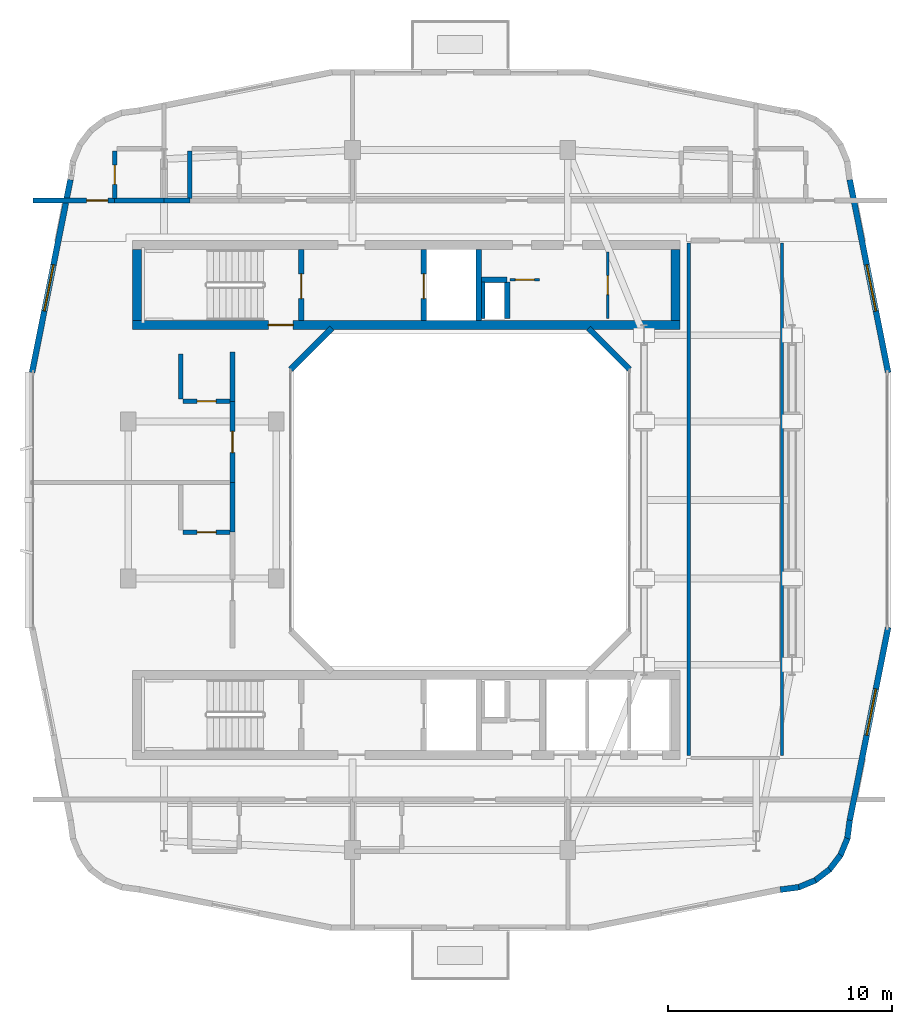
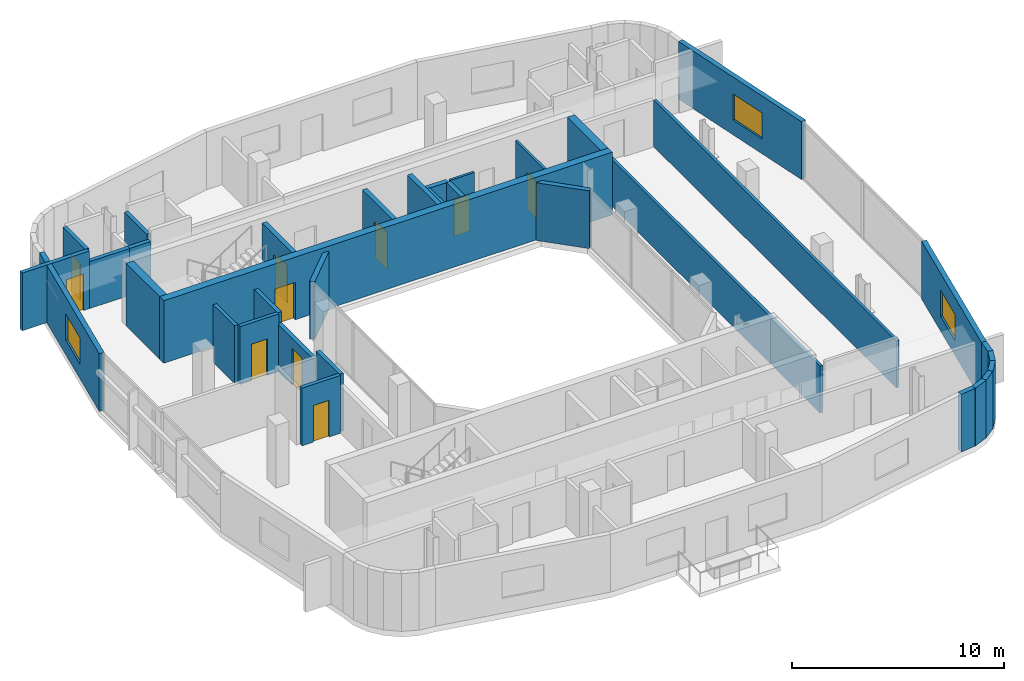
# One storey, part 7 of 13: 35 walls, 10 doors, 3 windows, 13 openings.
"""IFC4 building model written with IfcOpenShell, lengths in metres."""

from ifc_helpers import new_model, si_unit, derived_unit, direction, frame, frame_2d, origin, place, context, subcontext, project, spatial, rectangle, extrude, material, layer, layer_set, type_object, element, fill, save


model = new_model("IFC4")

# Units and contexts
model_context = context("Model", 3, precision=1e-05, world=origin(), true_north=direction((0.0, 1.0)))
body_context = subcontext(model_context, "Body", "Model", "MODEL_VIEW")
ifc_project = project(units=[si_unit("LENGTHUNIT", "METRE"), si_unit("AREAUNIT", "SQUARE_METRE"), si_unit("VOLUMEUNIT", "CUBIC_METRE"), si_unit("PLANEANGLEUNIT", "RADIAN"), si_unit("MASSUNIT", "GRAM", prefix="KILO"), derived_unit("THERMALTRANSMITTANCEUNIT", [(si_unit("POWERUNIT", "WATT"), 1), (si_unit("LENGTHUNIT", "METRE"), -2), (si_unit("THERMODYNAMICTEMPERATUREUNIT", "KELVIN"), -1)])], contexts=[model_context])

# Site, building, storey
site_placement = place(None, origin())
site = spatial("IfcSite", under=ifc_project, at=site_placement, CompositionType="ELEMENT")
building_placement = place(site_placement, origin())
building = spatial("IfcBuilding", under=site, at=building_placement, Name="Kivonza Crest Hotel", CompositionType="ELEMENT")
storey_placement = place(building_placement, frame((0.0, 0.0, 199.10009765625)))
storey = spatial("IfcBuildingStorey", under=building, at=storey_placement, Name="L54", CompositionType="ELEMENT", Elevation=199.10009765625)

# Wall
ifc_material_1 = material(Name="Autoclaved aerated concrete blockwork", Category="masonry")
ifc_layer_1 = layer(ifc_material_1, 0.219970703125)
ifc_layer_set_1 = layer_set([ifc_layer_1], Name="Autoclaved aerated concrete blockwork")
wall_type_1 = type_object("IfcWallType", Name="WL-ACOU-220", PredefinedType="SOLIDWALL", material=ifc_layer_set_1)
wall_1_placement = place(storey_placement, frame((5.60009765625, 38.35009765625, 0.0), z_axis=(0.0, 0.0, 1.0), x_axis=(1.0, 0.0, 0.0)))
element("IfcWall", 1, at=wall_1_placement, inside=storey, type_object=wall_type_1, Name="L54 interior partition WA-L54-N01-BCORR", PredefinedType="SOLIDWALL", context=body_context, shape_type="SweptSolid", body=[
    extrude(rectangle(XDim=2.199951171875, YDim=0.219970703125, at=frame_2d((1.10009765625, 0.0))), origin(), (0.0, 0.0, 1.0), 2.69482421875),
])

# Wall, opening, door
wall_2_placement = place(storey_placement, frame((1.9599609375, 38.35009765625, 0.0), z_axis=(0.0, 0.0, 1.0), x_axis=(1.0, 0.0, 0.0)))
wall_2 = element("IfcWall", 2, at=wall_2_placement, inside=storey, type_object=wall_type_1, Name="L54 interior partition WA-L54-N01-MCORR", PredefinedType="SOLIDWALL", context=body_context, shape_type="SweptSolid", body=[
    extrude(rectangle(XDim=3.64013671875, YDim=0.219970703125, at=frame_2d((1.820068359375, 0.0))), origin(), (0.0, 0.0, 1.0), 3.31982421875),
])
opening_1_placement = place(wall_2_placement, frame((2.389892578125, 0.0, 0.0)))
opening_1 = element("IfcOpeningElement", 3, at=opening_1_placement, cuts=wall_2, Name="Opening DU-60", PredefinedType="OPENING", context=body_context, shape_type="SweptSolid", body=[
    extrude(rectangle(XDim=0.949951171875, YDim=2.10009765625, at=frame_2d((0.47509765625, 1.050048828125))), frame((0.0, 0.1201171875, 0.0), z_axis=(0.0, -1.0, 0.0), x_axis=(1.0, 0.0, 0.0)), (0.0, 0.0, 1.0), 0.239990234375),
])
ifc_material_2 = material(Name="Hardwood timber oak", Category="wood")
door_type_1 = type_object("IfcDoorType", Name="DR-UNIT-950", OperationType="NOTDEFINED", PredefinedType="DOOR", material=ifc_material_2)
door_1_placement = place(opening_1_placement, origin())
door_1 = element("IfcDoor", 4, at=door_1_placement, inside=storey, type_object=door_type_1, Name="L54 N01 guest unit entrance fire door", OperationType="SINGLE_SWING_LEFT", OverallHeight=2.10009765625, OverallWidth=0.949951171875, PredefinedType="DOOR", context=body_context, shape_type="SweptSolid", body=[
    extrude(rectangle(XDim=0.949951171875, YDim=2.10009765625, at=frame_2d((0.47509765625, 1.050048828125))), frame((0.0, 0.02490234375, 0.0), z_axis=(0.0, -1.0, 0.0), x_axis=(1.0, 0.0, 0.0)), (0.0, 0.0, 1.0), 0.050048828125),
])
fill(opening_1, door_1)

# Walls
wall_3_placement = place(storey_placement, frame((7.800048828125, 38.35009765625, 0.0), z_axis=(0.0, 0.0, 1.0), x_axis=(1.0, 0.0, 0.0)))
element("IfcWall", 5, at=wall_3_placement, inside=storey, type_object=wall_type_1, Name="L54 interior partition WA-L54-N02-XCORR", PredefinedType="SOLIDWALL", context=body_context, shape_type="SweptSolid", body=[
    extrude(rectangle(XDim=1.14990234375, YDim=0.219970703125, at=frame_2d((0.574951171875, 0.0))), origin(), (0.0, 0.0, 1.0), 2.69482421875),
])
wall_4_placement = place(storey_placement, frame((10.85009765625, 23.570068359375, 0.0), z_axis=(0.0, 0.0, 1.0), x_axis=(0.0, 1.0, 0.0)))
element("IfcWall", 6, at=wall_4_placement, inside=storey, type_object=wall_type_1, Name="L54 interior partition WA-L54-W07-BCORR", PredefinedType="SOLIDWALL", context=body_context, shape_type="SweptSolid", body=[
    extrude(rectangle(XDim=2.199951171875, YDim=0.219970703125, at=frame_2d((1.10009765625, 0.0))), origin(), (0.0, 0.0, 1.0), 3.31982421875),
])
wall_5_placement = place(storey_placement, frame((10.85009765625, 29.39990234375, 0.0), z_axis=(0.0, 0.0, 1.0), x_axis=(0.0, 1.0, 0.0)))
element("IfcWall", 7, at=wall_5_placement, inside=storey, type_object=wall_type_1, Name="L54 interior partition WA-L54-W08-BCORR", PredefinedType="SOLIDWALL", context=body_context, shape_type="SweptSolid", body=[
    extrude(rectangle(XDim=2.2001953125, YDim=0.219970703125, at=frame_2d((1.10009765625, 0.0))), origin(), (0.0, 0.0, 1.0), 3.31982421875),
])

# Wall, opening, door
wall_6_placement = place(storey_placement, frame((10.85009765625, 25.77001953125, 0.0), z_axis=(0.0, 0.0, 1.0), x_axis=(0.0, 1.0, 0.0)))
wall_6 = element("IfcWall", 8, at=wall_6_placement, inside=storey, type_object=wall_type_1, Name="L54 interior partition WA-L54-W08-MCORR", PredefinedType="SOLIDWALL", context=body_context, shape_type="SweptSolid", body=[
    extrude(rectangle(XDim=3.6298828125, YDim=0.219970703125, at=frame_2d((1.81494140625, 0.0))), origin(), (0.0, 0.0, 1.0), 2.69482421875),
])
opening_2_placement = place(wall_6_placement, frame((1.340087890625, 0.0, 0.0)))
opening_2 = element("IfcOpeningElement", 9, at=opening_2_placement, cuts=wall_6, Name="Opening DU-60", PredefinedType="OPENING", context=body_context, shape_type="SweptSolid", body=[
    extrude(rectangle(XDim=0.949951171875, YDim=2.10009765625, at=frame_2d((0.47509765625, 1.050048828125))), frame((0.0, 0.1201171875, 0.0), z_axis=(0.0, -1.0, 0.0), x_axis=(1.0, 0.0, 0.0)), (0.0, 0.0, 1.0), 0.239990234375),
])
door_2_placement = place(opening_2_placement, origin())
door_2 = element("IfcDoor", 10, at=door_2_placement, inside=storey, type_object=door_type_1, Name="L54 W08 guest unit entrance fire door", OperationType="SINGLE_SWING_RIGHT", OverallHeight=2.10009765625, OverallWidth=0.949951171875, PredefinedType="DOOR", context=body_context, shape_type="SweptSolid", body=[
    extrude(rectangle(XDim=0.949951171875, YDim=2.10009765625, at=frame_2d((0.47509765625, 1.050048828125))), frame((0.0, 0.02490234375, 0.0), z_axis=(0.0, -1.0, 0.0), x_axis=(1.0, 0.0, 0.0)), (0.0, 0.0, 1.0), 0.050048828125),
])
fill(opening_2, door_2)

ifc_material_3 = material(Name="Concrete C50/60", Category="concrete")
ifc_layer_2 = layer(ifc_material_3, 0.39990234375)
ifc_layer_set_2 = layer_set([ifc_layer_2], Name="Concrete C50/60")
wall_type_2 = type_object("IfcWallType", Name="WL-CORE-400", PredefinedType="SHEAR", material=ifc_layer_set_2)
wall_7_placement = place(storey_placement, frame((6.39990234375, 32.800048828125, 0.0), z_axis=(0.0, 0.0, 1.0), x_axis=(1.0, 0.0, 0.0)))
wall_7 = element("IfcWall", 11, at=wall_7_placement, inside=storey, type_object=wall_type_2, Name="Core wall T1-N South L54", PredefinedType="SHEAR", context=body_context, shape_type="SweptSolid", body=[
    extrude(rectangle(XDim=24.400146484375, YDim=0.39990234375, at=frame_2d((12.2001953125, 0.0))), origin(), (0.0, 0.0, 1.0), 3.599853515625),
])
opening_3_placement = place(wall_7_placement, frame((6.050048828125, 0.0, 0.0)))
opening_3 = element("IfcOpeningElement", 12, at=opening_3_placement, cuts=wall_7, Name="Opening DF-120", PredefinedType="OPENING", context=body_context, shape_type="SweptSolid", body=[
    extrude(rectangle(XDim=1.10009765625, YDim=2.14990234375, at=frame_2d((0.550048828125, 1.074951171875))), frame((0.0, 0.2099609375, 0.0), z_axis=(0.0, -1.0, 0.0), x_axis=(1.0, 0.0, 0.0)), (0.0, 0.0, 1.0), 0.419921875),
])
ifc_material_4 = material(Name="Galvanised steel", Category="steel")
door_type_2 = type_object("IfcDoorType", Name="DR-FD120-1100", OperationType="NOTDEFINED", PredefinedType="DOOR", material=ifc_material_4)
door_3_placement = place(opening_3_placement, origin())
door_3 = element("IfcDoor", 13, at=door_3_placement, inside=storey, type_object=door_type_2, Name="L54 West corridor stair access fire door", OperationType="SINGLE_SWING_LEFT", OverallHeight=2.14990234375, OverallWidth=1.10009765625, PredefinedType="DOOR", context=body_context, shape_type="SweptSolid", body=[
    extrude(rectangle(XDim=1.10009765625, YDim=2.14990234375, at=frame_2d((0.550048828125, 1.074951171875))), frame((0.0, 0.02490234375, 0.0), z_axis=(0.0, -1.0, 0.0), x_axis=(1.0, 0.0, 0.0)), (0.0, 0.0, 1.0), 0.050048828125),
])
fill(opening_3, door_3)

# Walls
for number, where, z_axis, x_axis, name in (
    (14, (6.60009765625, 33.0, 0.0), (0.0, 0.0, 1.0), (0.0, 1.0, 0.0), "Core wall T1-N West L54"),
    (15, (30.60009765625, 33.0, 0.0), (0.0, 0.0, 1.0), (0.0, 1.0, 0.0), "Core wall T1-N East L54"),
):
    element("IfcWall", number, at=place(storey_placement, frame(where, z_axis=z_axis, x_axis=x_axis)), inside=storey, type_object=wall_type_2, Name=name, PredefinedType="SHEAR", context=body_context, shape_type="SweptSolid", body=[
        extrude(rectangle(XDim=3.159912109375, YDim=0.39990234375, at=frame_2d((1.580078125, 0.0))), origin(), (0.0, 0.0, 1.0), 3.599853515625),
    ])
ifc_material_5 = material(Name="Precast concrete C40/50", Category="concrete")
ifc_layer_3 = layer(ifc_material_5, 0.260009765625)
ifc_layer_set_3 = layer_set([ifc_layer_3], Name="Precast concrete C40/50")
wall_type_3 = type_object("IfcWallType", Name="WL-EXT-260", PredefinedType="STANDARD", material=ifc_layer_set_3)
wall_8_placement = place(storey_placement, frame((35.27490234375, 7.6279296875, 0.0), z_axis=(0.0, 0.0, 1.0), x_axis=(0.9913883573, 0.130954667764, 0.0)))
element("IfcWall", 16, at=wall_8_placement, inside=storey, type_object=wall_type_3, Name="L54 T1 exterior insulated wall 10", PredefinedType="STANDARD", context=body_context, shape_type="SweptSolid", body=[
    extrude(rectangle(XDim=0.833251953125, YDim=0.260009765625, at=frame_2d((0.41650390625, 0.0))), origin(), (0.0, 0.0, 1.0), 3.31982421875),
])
wall_9_placement = place(storey_placement, frame((36.054931640625, 7.718994140625, 0.0), z_axis=(0.0, 0.0, 1.0), x_axis=(0.923754491172, 0.382985169477, 0.0)))
element("IfcWall", 17, at=wall_9_placement, inside=storey, type_object=wall_type_3, Name="L54 T1 exterior insulated wall 11", PredefinedType="STANDARD", context=body_context, shape_type="SweptSolid", body=[
    extrude(rectangle(XDim=0.85107421875, YDim=0.260009765625, at=frame_2d((0.425537109375, 0.0))), origin(), (0.0, 0.0, 1.0), 3.31982421875),
])
for number, where, z_axis, x_axis, name in (
    (18, (36.801025390625, 8.01708984375, 0.0), (0.0, 0.0, 1.0), (0.793999057278, 0.607918988881, 0.0), "L54 T1 exterior insulated wall 12"),
    (19, (37.445068359375, 8.49609375, 0.0), (0.0, 0.0, 1.0), (0.608057619941, 0.793892896323, 0.0), "L54 T1 exterior insulated wall 13"),
):
    element("IfcWall", number, at=place(storey_placement, frame(where, z_axis=z_axis, x_axis=x_axis)), inside=storey, type_object=wall_type_3, Name=name, PredefinedType="STANDARD", context=body_context, shape_type="SweptSolid", body=[
        extrude(rectangle(XDim=0.85009765625, YDim=0.260009765625, at=frame_2d((0.425048828125, 0.0))), origin(), (0.0, 0.0, 1.0), 3.31982421875),
    ])
wall_10_placement = place(storey_placement, frame((37.94091796875, 9.126953125, 0.0), z_axis=(0.0, 0.0, 1.0), x_axis=(0.383229930484, 0.923652976167, 0.0)))
element("IfcWall", 20, at=wall_10_placement, inside=storey, type_object=wall_type_3, Name="L54 T1 exterior insulated wall 14", PredefinedType="STANDARD", context=body_context, shape_type="SweptSolid", body=[
    extrude(rectangle(XDim=0.85107421875, YDim=0.260009765625, at=frame_2d((0.425537109375, 0.0))), origin(), (0.0, 0.0, 1.0), 3.31982421875),
])
wall_11_placement = place(storey_placement, frame((38.259033203125, 9.864013671875, 0.0), z_axis=(0.0, 0.0, 1.0), x_axis=(0.130156359936, 0.991493480548, 0.0)))
element("IfcWall", 21, at=wall_11_placement, inside=storey, type_object=wall_type_3, Name="L54 T1 exterior insulated wall 15", PredefinedType="STANDARD", context=body_context, shape_type="SweptSolid", body=[
    extrude(rectangle(XDim=0.868408203125, YDim=0.260009765625, at=frame_2d((0.43408203125, 0.0))), origin(), (0.0, 0.0, 1.0), 3.31982421875),
])

# Wall, opening, window
wall_12_placement = place(storey_placement, frame((38.37109375, 10.717041015625, 0.0), z_axis=(0.0, 0.0, 1.0), x_axis=(0.195291715883, 0.980745199176, 0.0)))
wall_12 = element("IfcWall", 22, at=wall_12_placement, inside=storey, type_object=wall_type_3, Name="L54 T1 exterior insulated wall 16", PredefinedType="STANDARD", context=body_context, shape_type="SweptSolid", body=[
    extrude(rectangle(XDim=8.77099609375, YDim=0.260009765625, at=frame_2d((4.385498046875, 0.0))), origin(), (0.0, 0.0, 1.0), 3.31982421875),
])
opening_4_placement = place(wall_12_placement, frame((3.873046875, 0.0, 0.85009765625)))
opening_4 = element("IfcOpeningElement", 23, at=opening_4_placement, cuts=wall_12, Name="Opening WN-04", PredefinedType="OPENING", context=body_context, shape_type="SweptSolid", body=[
    extrude(rectangle(XDim=2.10009765625, YDim=1.5, at=frame_2d((1.050048828125, 0.75))), frame((0.0, 0.14013671875, 0.0), z_axis=(0.0, -1.0, 0.0), x_axis=(1.0, 0.0, 0.0)), (0.0, 0.0, 1.0), 0.280029296875),
])
ifc_material_6 = material(Name="Thermally broken bronze aluminium and low-E double glazing", Category="aluminium")
window_type = type_object("IfcWindowType", Name="WN-210x150", PartitioningType="DOUBLE_PANEL_VERTICAL", PredefinedType="WINDOW", material=ifc_material_6)
window_1_placement = place(opening_4_placement, origin())
window_1 = element("IfcWindow", 24, at=window_1_placement, inside=storey, type_object=window_type, Name="L54 T1 facade window 16", OverallHeight=1.5, OverallWidth=2.10009765625, PartitioningType="SINGLE_PANEL", PredefinedType="WINDOW", context=body_context, shape_type="SweptSolid", body=[
    extrude(rectangle(XDim=2.10009765625, YDim=1.5, at=frame_2d((1.050048828125, 0.75))), frame((0.0, 0.030029296875, 0.0), z_axis=(0.0, -1.0, 0.0), x_axis=(1.0, 0.0, 0.0)), (0.0, 0.0, 1.0), 0.06005859375),
])
fill(opening_4, window_1)

wall_13_placement = place(storey_placement, frame((40.083984375, 30.680908203125, 0.0), z_axis=(0.0, 0.0, 1.0), x_axis=(-0.195291715883, 0.980745199176, 0.0)))
wall_13 = element("IfcWall", 25, at=wall_13_placement, inside=storey, type_object=wall_type_3, Name="L54 T1 exterior insulated wall 18", PredefinedType="STANDARD", context=body_context, shape_type="SweptSolid", body=[
    extrude(rectangle(XDim=8.77099609375, YDim=0.260009765625, at=frame_2d((4.385498046875, 0.0))), origin(), (0.0, 0.0, 1.0), 3.31982421875),
])
opening_5_placement = place(wall_13_placement, frame((2.798095703125, 0.0, 0.85009765625)))
opening_5 = element("IfcOpeningElement", 26, at=opening_5_placement, cuts=wall_13, Name="Opening WN-04", PredefinedType="OPENING", context=body_context, shape_type="SweptSolid", body=[
    extrude(rectangle(XDim=2.10009765625, YDim=1.5, at=frame_2d((1.050048828125, 0.75))), frame((0.0, 0.14013671875, 0.0), z_axis=(0.0, -1.0, 0.0), x_axis=(1.0, 0.0, 0.0)), (0.0, 0.0, 1.0), 0.280029296875),
])
window_2_placement = place(opening_5_placement, origin())
window_2 = element("IfcWindow", 27, at=window_2_placement, inside=storey, type_object=window_type, Name="L54 T1 facade window 18", OverallHeight=1.5, OverallWidth=2.10009765625, PartitioningType="SINGLE_PANEL", PredefinedType="WINDOW", context=body_context, shape_type="SweptSolid", body=[
    extrude(rectangle(XDim=2.10009765625, YDim=1.5, at=frame_2d((1.050048828125, 0.75))), frame((0.0, 0.030029296875, 0.0), z_axis=(0.0, -1.0, 0.0), x_axis=(1.0, 0.0, 0.0)), (0.0, 0.0, 1.0), 0.06005859375),
])
fill(opening_5, window_2)

wall_14_placement = place(storey_placement, frame((3.62890625, 39.282958984375, 0.0), z_axis=(0.0, 0.0, 1.0), x_axis=(-0.195291715883, -0.980745199176, 0.0)))
wall_14 = element("IfcWall", 28, at=wall_14_placement, inside=storey, type_object=wall_type_3, Name="L54 T1 exterior insulated wall 34", PredefinedType="STANDARD", context=body_context, shape_type="SweptSolid", body=[
    extrude(rectangle(XDim=8.77099609375, YDim=0.260009765625, at=frame_2d((4.385498046875, 0.0))), origin(), (0.0, 0.0, 1.0), 3.31982421875),
])
opening_6_placement = place(wall_14_placement, frame((3.873046875, 0.0, 0.85009765625)))
opening_6 = element("IfcOpeningElement", 29, at=opening_6_placement, cuts=wall_14, Name="Opening WN-04", PredefinedType="OPENING", context=body_context, shape_type="SweptSolid", body=[
    extrude(rectangle(XDim=2.10009765625, YDim=1.5, at=frame_2d((1.050048828125, 0.75))), frame((0.0, 0.14013671875, 0.0), z_axis=(0.0, -1.0, 0.0), x_axis=(1.0, 0.0, 0.0)), (0.0, 0.0, 1.0), 0.280029296875),
])
window_3_placement = place(opening_6_placement, origin())
window_3 = element("IfcWindow", 30, at=window_3_placement, inside=storey, type_object=window_type, Name="L54 T1 facade window 34", OverallHeight=1.5, OverallWidth=2.10009765625, PartitioningType="SINGLE_PANEL", PredefinedType="WINDOW", context=body_context, shape_type="SweptSolid", body=[
    extrude(rectangle(XDim=2.10009765625, YDim=1.5, at=frame_2d((1.050048828125, 0.75))), frame((0.0, 0.030029296875, 0.0), z_axis=(0.0, -1.0, 0.0), x_axis=(1.0, 0.0, 0.0)), (0.0, 0.0, 1.0), 0.06005859375),
])
fill(opening_6, window_3)

# Walls
for number, where, z_axis, x_axis, name in (
    (31, (28.555908203125, 30.827880859375, 0.0), (0.0, 0.0, 1.0), (-0.707059717605, 0.707153841636, 0.0), "L54 T1 light-well exterior wall 4"),
    (32, (15.278076171875, 32.662109375, 0.0), (0.0, 0.0, 1.0), (-0.707059717605, -0.707153841636, 0.0), "L54 T1 light-well exterior wall 6"),
):
    element("IfcWall", number, at=place(storey_placement, frame(where, z_axis=z_axis, x_axis=x_axis)), inside=storey, type_object=wall_type_3, Name=name, PredefinedType="STANDARD", context=body_context, shape_type="SweptSolid", body=[
        extrude(rectangle(XDim=2.59375, YDim=0.260009765625, at=frame_2d((1.296875, 0.0))), origin(), (0.0, 0.0, 1.0), 3.31982421875),
    ])
ifc_material_7 = material(Name="Concrete blockwork fire-compartment wall", Category="masonry")
ifc_layer_4 = layer(ifc_material_7, 0.25)
ifc_layer_set_4 = layer_set([ifc_layer_4], Name="Concrete blockwork fire-compartment wall")
wall_type_4 = type_object("IfcWallType", Name="WL-FIRE-250", PredefinedType="SOLIDWALL", material=ifc_layer_set_4)
wall_15_placement = place(storey_placement, frame((23.10009765625, 33.10009765625, 0.0), z_axis=(0.0, 0.0, 1.0), x_axis=(0.0, 1.0, 0.0)))
element("IfcWall", 33, at=wall_15_placement, inside=storey, type_object=wall_type_4, Name="L54 interior partition WA-L54-T1-N-MEPR-E", PredefinedType="SOLIDWALL", context=body_context, shape_type="SweptSolid", body=[
    extrude(rectangle(XDim=1.619873046875, YDim=0.25, at=frame_2d((0.81005859375, 0.0))), origin(), (0.0, 0.0, 1.0), 3.31982421875),
])
wall_16_placement = place(storey_placement, frame((21.949951171875, 34.820068359375, 0.0), z_axis=(0.0, 0.0, 1.0), x_axis=(1.0, 0.0, 0.0)))
element("IfcWall", 34, at=wall_16_placement, inside=storey, type_object=wall_type_4, Name="L54 interior partition WA-L54-T1-N-MEPR-H", PredefinedType="SOLIDWALL", context=body_context, shape_type="SweptSolid", body=[
    extrude(rectangle(XDim=1.150146484375, YDim=0.25, at=frame_2d((0.5751953125, 0.0))), origin(), (0.0, 0.0, 1.0), 3.31982421875),
])

# Wall, opening, door
ifc_material_8 = material(Name="Metal-stud gypsum board partition", Category="gypsum")
ifc_layer_5 = layer(ifc_material_8, 0.125)
ifc_layer_set_5 = layer_set([ifc_layer_5], Name="Metal-stud gypsum board partition")
wall_type_5 = type_object("IfcWallType", Name="WL-PART-125", PredefinedType="PARTITIONING", material=ifc_layer_set_5)
wall_17_placement = place(storey_placement, frame((27.580078125, 33.10009765625, 0.0), z_axis=(0.0, 0.0, 1.0), x_axis=(0.0, 1.0, 0.0)))
wall_17 = element("IfcWall", 35, at=wall_17_placement, inside=storey, type_object=wall_type_5, Name="L54 interior partition WP-L54-T1-N-RECL", PredefinedType="PARTITIONING", context=body_context, shape_type="SweptSolid", body=[
    extrude(rectangle(XDim=2.9599609375, YDim=0.125, at=frame_2d((1.47998046875, 0.0))), origin(), (0.0, 0.0, 1.0), 3.31982421875),
])
opening_7_placement = place(wall_17_placement, frame((1.054931640625, 0.0, 0.0)))
opening_7 = element("IfcOpeningElement", 36, at=opening_7_placement, cuts=wall_17, Name="Opening DI-85", PredefinedType="OPENING", context=body_context, shape_type="SweptSolid", body=[
    extrude(rectangle(XDim=0.85009765625, YDim=2.10009765625, at=frame_2d((0.425048828125, 1.050048828125))), frame((0.0, 0.072509765625, 0.0), z_axis=(0.0, -1.0, 0.0), x_axis=(1.0, 0.0, 0.0)), (0.0, 0.0, 1.0), 0.14501953125),
])
door_type_3 = type_object("IfcDoorType", Name="DR-INT-850", OperationType="NOTDEFINED", PredefinedType="DOOR", material=ifc_material_2)
door_4_placement = place(opening_7_placement, origin())
door_4 = element("IfcDoor", 37, at=door_4_placement, inside=storey, type_object=door_type_3, Name="L54 T1-N reclaimed inner pantry door", OperationType="SINGLE_SWING_LEFT", OverallHeight=2.10009765625, OverallWidth=0.85009765625, PredefinedType="DOOR", context=body_context, shape_type="SweptSolid", body=[
    extrude(rectangle(XDim=0.85009765625, YDim=2.10009765625, at=frame_2d((0.425048828125, 1.050048828125))), frame((0.0, 0.02490234375, 0.0), z_axis=(0.0, -1.0, 0.0), x_axis=(1.0, 0.0, 0.0)), (0.0, 0.0, 1.0), 0.050048828125),
])
fill(opening_7, door_4)

wall_18_placement = place(storey_placement, frame((23.219970703125, 34.820068359375, 0.0), z_axis=(0.0, 0.0, 1.0), x_axis=(1.0, 0.0, 0.0)))
wall_18 = element("IfcWall", 38, at=wall_18_placement, inside=storey, type_object=wall_type_5, Name="L54 interior partition WP-L54-T1-N-SV3H", PredefinedType="PARTITIONING", context=body_context, shape_type="SweptSolid", body=[
    extrude(rectangle(XDim=1.330078125, YDim=0.125, at=frame_2d((0.6650390625, 0.0))), origin(), (0.0, 0.0, 1.0), 3.31982421875),
])
opening_8_placement = place(wall_18_placement, frame((0.239990234375, 0.0, 0.0)))
opening_8 = element("IfcOpeningElement", 39, at=opening_8_placement, cuts=wall_18, Name="Opening DI-85", PredefinedType="OPENING", context=body_context, shape_type="SweptSolid", body=[
    extrude(rectangle(XDim=0.85009765625, YDim=2.10009765625, at=frame_2d((0.425048828125, 1.050048828125))), frame((0.0, 0.072509765625, 0.0), z_axis=(0.0, -1.0, 0.0), x_axis=(1.0, 0.0, 0.0)), (0.0, 0.0, 1.0), 0.14501953125),
])
door_5_placement = place(opening_8_placement, origin())
door_5 = element("IfcDoor", 40, at=door_5_placement, inside=storey, type_object=door_type_3, Name="L54 T1-N inner manifold door", OperationType="SINGLE_SWING_LEFT", OverallHeight=2.10009765625, OverallWidth=0.85009765625, PredefinedType="DOOR", context=body_context, shape_type="SweptSolid", body=[
    extrude(rectangle(XDim=0.85009765625, YDim=2.10009765625, at=frame_2d((0.425048828125, 1.050048828125))), frame((0.0, 0.02490234375, 0.0), z_axis=(0.0, -1.0, 0.0), x_axis=(1.0, 0.0, 0.0)), (0.0, 0.0, 1.0), 0.050048828125),
])
fill(opening_8, door_5)

# Walls
ifc_material_9 = material(Name="Twin-stud acoustic gypsum board partition", Category="gypsum")
ifc_layer_6 = layer(ifc_material_9, 0.14990234375)
ifc_layer_set_6 = layer_set([ifc_layer_6], Name="Twin-stud acoustic gypsum board partition")
wall_type_6 = type_object("IfcWallType", Name="WL-PART-150", PredefinedType="PARTITIONING", material=ifc_layer_set_6)
wall_19_placement = place(storey_placement, frame((22.030029296875, 33.10009765625, 0.0), z_axis=(0.0, 0.0, 1.0), x_axis=(0.0, 1.0, 0.0)))
element("IfcWall", 41, at=wall_19_placement, inside=storey, type_object=wall_type_6, Name="L54 interior partition WA-L54-T1-N-MEPR-W", PredefinedType="PARTITIONING", context=body_context, shape_type="SweptSolid", body=[
    extrude(rectangle(XDim=1.619873046875, YDim=0.14990234375, at=frame_2d((0.81005859375, 0.0))), origin(), (0.0, 0.0, 1.0), 3.31982421875),
])
for number, where, z_axis, x_axis, name in (
    (42, (31.199951171875, 13.60009765625, 0.0), (0.0, 0.0, 1.0), (0.0, 1.0, 0.0), "L54 interior partition WP-L54-VP-TRF-PL-BW"),
    (43, (35.35009765625, 13.60009765625, 0.0), (0.0, 0.0, 1.0), (0.0, 1.0, 0.0), "L54 interior partition WP-L54-VP-TRF-PL-BE"),
):
    element("IfcWall", number, at=place(storey_placement, frame(where, z_axis=z_axis, x_axis=x_axis)), inside=storey, type_object=wall_type_6, Name=name, PredefinedType="PARTITIONING", context=body_context, shape_type="SweptSolid", body=[
        extrude(rectangle(XDim=22.85986328125, YDim=0.14990234375, at=frame_2d((11.429931640625, 0.0))), origin(), (0.0, 0.0, 1.0), 2.69482421875),
    ])

# Wall, opening, door
ifc_material_10 = material(Name="Moisture-resistant plumbing chase partition wall", Category="gypsum")
ifc_layer_7 = layer(ifc_material_10, 0.199951171875)
ifc_layer_set_7 = layer_set([ifc_layer_7], Name="Moisture-resistant plumbing chase partition wall")
wall_type_7 = type_object("IfcWallType", Name="WL-PLUMB-200", PredefinedType="PLUMBINGWALL", material=ifc_layer_set_7)
wall_20_placement = place(storey_placement, frame((5.60009765625, 38.449951171875, 0.0), z_axis=(0.0, 0.0, 1.0), x_axis=(0.0, 1.0, 0.0)))
wall_20 = element("IfcWall", 44, at=wall_20_placement, inside=storey, type_object=wall_type_7, Name="L54 interior partition WW-L54-N01-BV", PredefinedType="PLUMBINGWALL", context=body_context, shape_type="SweptSolid", body=[
    extrude(rectangle(XDim=2.10009765625, YDim=0.199951171875, at=frame_2d((1.050048828125, 0.0))), origin(), (0.0, 0.0, 1.0), 3.31982421875),
])
opening_9_placement = place(wall_20_placement, frame((0.625, 0.0, 0.0)))
opening_9 = element("IfcOpeningElement", 45, at=opening_9_placement, cuts=wall_20, Name="Opening DI-85", PredefinedType="OPENING", context=body_context, shape_type="SweptSolid", body=[
    extrude(rectangle(XDim=0.85009765625, YDim=2.10009765625, at=frame_2d((0.425048828125, 1.050048828125))), frame((0.0, 0.10986328125, 0.0), z_axis=(0.0, -1.0, 0.0), x_axis=(1.0, 0.0, 0.0)), (0.0, 0.0, 1.0), 0.219970703125),
])
door_6_placement = place(opening_9_placement, origin())
door_6 = element("IfcDoor", 46, at=door_6_placement, inside=storey, type_object=door_type_3, Name="L54 N01 en-suite bathroom door", OperationType="SINGLE_SWING_RIGHT", OverallHeight=2.10009765625, OverallWidth=0.85009765625, PredefinedType="DOOR", context=body_context, shape_type="SweptSolid", body=[
    extrude(rectangle(XDim=0.85009765625, YDim=2.10009765625, at=frame_2d((0.425048828125, 1.050048828125))), frame((0.0, 0.02490234375, 0.0), z_axis=(0.0, -1.0, 0.0), x_axis=(1.0, 0.0, 0.0)), (0.0, 0.0, 1.0), 0.050048828125),
])
fill(opening_9, door_6)

# Wall
wall_21_placement = place(storey_placement, frame((8.949951171875, 38.449951171875, 0.0), z_axis=(0.0, 0.0, 1.0), x_axis=(0.0, 1.0, 0.0)))
element("IfcWall", 47, at=wall_21_placement, inside=storey, type_object=wall_type_7, Name="L54 interior partition WW-L54-N02-BVW", PredefinedType="PLUMBINGWALL", context=body_context, shape_type="SweptSolid", body=[
    extrude(rectangle(XDim=2.10009765625, YDim=0.199951171875, at=frame_2d((1.050048828125, 0.0))), origin(), (0.0, 0.0, 1.0), 3.014892578125),
])

# Wall, opening, door
wall_22_placement = place(storey_placement, frame((8.64990234375, 23.570068359375, 0.0), z_axis=(0.0, 0.0, 1.0), x_axis=(1.0, 0.0, 0.0)))
wall_22 = element("IfcWall", 48, at=wall_22_placement, inside=storey, type_object=wall_type_7, Name="L54 interior partition WW-L54-W07-BH", PredefinedType="PLUMBINGWALL", context=body_context, shape_type="SweptSolid", body=[
    extrude(rectangle(XDim=2.10009765625, YDim=0.199951171875, at=frame_2d((1.050048828125, 0.0))), origin(), (0.0, 0.0, 1.0), 3.31982421875),
])
opening_10_placement = place(wall_22_placement, frame((0.625, 0.0, 0.0)))
opening_10 = element("IfcOpeningElement", 49, at=opening_10_placement, cuts=wall_22, Name="Opening DI-85", PredefinedType="OPENING", context=body_context, shape_type="SweptSolid", body=[
    extrude(rectangle(XDim=0.85009765625, YDim=2.10009765625, at=frame_2d((0.425048828125, 1.050048828125))), frame((0.0, 0.10986328125, 0.0), z_axis=(0.0, -1.0, 0.0), x_axis=(1.0, 0.0, 0.0)), (0.0, 0.0, 1.0), 0.219970703125),
])
door_7_placement = place(opening_10_placement, frame((0.85009765625, 0.0, 0.0), z_axis=(0.0, 0.0, 1.0), x_axis=(-1.0, 0.0, 0.0)))
door_7 = element("IfcDoor", 50, at=door_7_placement, inside=storey, type_object=door_type_3, Name="L54 W07 en-suite bathroom door", OperationType="SINGLE_SWING_RIGHT", OverallHeight=2.10009765625, OverallWidth=0.85009765625, PredefinedType="DOOR", context=body_context, shape_type="SweptSolid", body=[
    extrude(rectangle(XDim=0.85009765625, YDim=2.10009765625, at=frame_2d((0.425048828125, 1.050048828125))), frame((0.0, 0.02490234375, 0.0), z_axis=(0.0, -1.0, 0.0), x_axis=(1.0, 0.0, 0.0)), (0.0, 0.0, 1.0), 0.050048828125),
])
fill(opening_10, door_7)

wall_23_placement = place(storey_placement, frame((8.64990234375, 29.39990234375, 0.0), z_axis=(0.0, 0.0, 1.0), x_axis=(1.0, 0.0, 0.0)))
wall_23 = element("IfcWall", 51, at=wall_23_placement, inside=storey, type_object=wall_type_7, Name="L54 interior partition WW-L54-W08-BH", PredefinedType="PLUMBINGWALL", context=body_context, shape_type="SweptSolid", body=[
    extrude(rectangle(XDim=2.10009765625, YDim=0.199951171875, at=frame_2d((1.050048828125, 0.0))), origin(), (0.0, 0.0, 1.0), 3.31982421875),
])
opening_11_placement = place(wall_23_placement, frame((0.625, 0.0, 0.0)))
opening_11 = element("IfcOpeningElement", 52, at=opening_11_placement, cuts=wall_23, Name="Opening DI-85", PredefinedType="OPENING", context=body_context, shape_type="SweptSolid", body=[
    extrude(rectangle(XDim=0.85009765625, YDim=2.10009765625, at=frame_2d((0.425048828125, 1.050048828125))), frame((0.0, 0.10986328125, 0.0), z_axis=(0.0, -1.0, 0.0), x_axis=(1.0, 0.0, 0.0)), (0.0, 0.0, 1.0), 0.219970703125),
])
door_8_placement = place(opening_11_placement, frame((0.85009765625, 0.0, 0.0), z_axis=(0.0, 0.0, 1.0), x_axis=(-1.0, 0.0, 0.0)))
door_8 = element("IfcDoor", 53, at=door_8_placement, inside=storey, type_object=door_type_3, Name="L54 W08 en-suite bathroom door", OperationType="SINGLE_SWING_LEFT", OverallHeight=2.10009765625, OverallWidth=0.85009765625, PredefinedType="DOOR", context=body_context, shape_type="SweptSolid", body=[
    extrude(rectangle(XDim=0.85009765625, YDim=2.10009765625, at=frame_2d((0.425048828125, 1.050048828125))), frame((0.0, 0.02490234375, 0.0), z_axis=(0.0, -1.0, 0.0), x_axis=(1.0, 0.0, 0.0)), (0.0, 0.0, 1.0), 0.050048828125),
])
fill(opening_11, door_8)

# Wall
wall_24_placement = place(storey_placement, frame((8.550048828125, 29.5, 0.0), z_axis=(0.0, 0.0, 1.0), x_axis=(0.0, 1.0, 0.0)))
element("IfcWall", 54, at=wall_24_placement, inside=storey, type_object=wall_type_7, Name="L54 interior partition WW-L54-W08-BV", PredefinedType="PLUMBINGWALL", context=body_context, shape_type="SweptSolid", body=[
    extrude(rectangle(XDim=2.0, YDim=0.199951171875, at=frame_2d((1.0, 0.0))), origin(), (0.0, 0.0, 1.0), 3.31982421875),
])

# Wall, opening, door
ifc_layer_8 = layer(ifc_material_3, 0.25)
ifc_layer_set_8 = layer_set([ifc_layer_8], Name="Concrete C50/60")
wall_type_8 = type_object("IfcWallType", Name="WL-SHAFT-250", PredefinedType="STANDARD", material=ifc_layer_set_8)
wall_25_placement = place(storey_placement, frame((13.925048828125, 33.0, 0.0), z_axis=(0.0, 0.0, 1.0), x_axis=(0.0, 1.0, 0.0)))
wall_25 = element("IfcWall", 55, at=wall_25_placement, inside=storey, type_object=wall_type_8, Name="Core shaft wall T1-N STAIR L54", PredefinedType="STANDARD", context=body_context, shape_type="SweptSolid", body=[
    extrude(rectangle(XDim=3.159912109375, YDim=0.25, at=frame_2d((1.580078125, 0.0))), origin(), (0.0, 0.0, 1.0), 3.31982421875),
])
opening_12_placement = place(wall_25_placement, frame((0.97998046875, 0.0, 0.0)))
opening_12 = element("IfcOpeningElement", 56, at=opening_12_placement, cuts=wall_25, Name="Opening DF-120", PredefinedType="OPENING", context=body_context, shape_type="SweptSolid", body=[
    extrude(rectangle(XDim=1.10009765625, YDim=2.14990234375, at=frame_2d((0.550048828125, 1.074951171875))), frame((0.0, 0.135009765625, 0.0), z_axis=(0.0, -1.0, 0.0), x_axis=(1.0, 0.0, 0.0)), (0.0, 0.0, 1.0), 0.27001953125),
])
door_9_placement = place(opening_12_placement, frame((1.10009765625, 0.0, 0.0), z_axis=(0.0, 0.0, 1.0), x_axis=(-1.0, 0.0, 0.0)))
door_9 = element("IfcDoor", 57, at=door_9_placement, inside=storey, type_object=door_type_2, Name="L54 T1-N stair fire door", OperationType="SINGLE_SWING_LEFT", OverallHeight=2.14990234375, OverallWidth=1.10009765625, PredefinedType="DOOR", context=body_context, shape_type="SweptSolid", body=[
    extrude(rectangle(XDim=1.10009765625, YDim=2.14990234375, at=frame_2d((0.550048828125, 1.074951171875))), frame((0.0, 0.02490234375, 0.0), z_axis=(0.0, -1.0, 0.0), x_axis=(1.0, 0.0, 0.0)), (0.0, 0.0, 1.0), 0.050048828125),
])
fill(opening_12, door_9)

wall_26_placement = place(storey_placement, frame((19.375, 33.0, 0.0), z_axis=(0.0, 0.0, 1.0), x_axis=(0.0, 1.0, 0.0)))
wall_26 = element("IfcWall", 58, at=wall_26_placement, inside=storey, type_object=wall_type_8, Name="Core shaft wall T1-N FFL-W L54", PredefinedType="STANDARD", context=body_context, shape_type="SweptSolid", body=[
    extrude(rectangle(XDim=3.159912109375, YDim=0.25, at=frame_2d((1.580078125, 0.0))), origin(), (0.0, 0.0, 1.0), 3.31982421875),
])
opening_13_placement = place(wall_26_placement, frame((0.97998046875, 0.0, 0.0)))
opening_13 = element("IfcOpeningElement", 59, at=opening_13_placement, cuts=wall_26, Name="Opening LD-120", PredefinedType="OPENING", context=body_context, shape_type="SweptSolid", body=[
    extrude(rectangle(XDim=1.10009765625, YDim=2.14990234375, at=frame_2d((0.550048828125, 1.074951171875))), frame((0.0, 0.135009765625, 0.0), z_axis=(0.0, -1.0, 0.0), x_axis=(1.0, 0.0, 0.0)), (0.0, 0.0, 1.0), 0.27001953125),
])
ifc_material_11 = material(Name="Stainless steel", Category="steel")
door_type_4 = type_object("IfcDoorType", Name="DR-LD120-1100", OperationType="NOTDEFINED", PredefinedType="DOOR", material=ifc_material_11)
door_10_placement = place(opening_13_placement, origin())
door_10 = element("IfcDoor", 60, at=door_10_placement, inside=storey, type_object=door_type_4, Name="L54 FFL-T1-N firefighting lift sliding landing door", OperationType="DOUBLE_DOOR_SLIDING", OverallHeight=2.14990234375, OverallWidth=1.10009765625, PredefinedType="DOOR", context=body_context, shape_type="SweptSolid", body=[
    extrude(rectangle(XDim=1.10009765625, YDim=2.14990234375, at=frame_2d((0.550048828125, 1.074951171875))), frame((0.0, 0.02490234375, 0.0), z_axis=(0.0, -1.0, 0.0), x_axis=(1.0, 0.0, 0.0)), (0.0, 0.0, 1.0), 0.050048828125),
])
fill(opening_13, door_10)

# Wall
wall_27_placement = place(storey_placement, frame((21.824951171875, 33.0, 0.0), z_axis=(0.0, 0.0, 1.0), x_axis=(0.0, 1.0, 0.0)))
element("IfcWall", 61, at=wall_27_placement, inside=storey, type_object=wall_type_8, Name="Core shaft wall T1-N FFL-E L54", PredefinedType="STANDARD", context=body_context, shape_type="SweptSolid", body=[
    extrude(rectangle(XDim=3.159912109375, YDim=0.25, at=frame_2d((1.580078125, 0.0))), origin(), (0.0, 0.0, 1.0), 3.31982421875),
])

save(model, "model.ifc")
